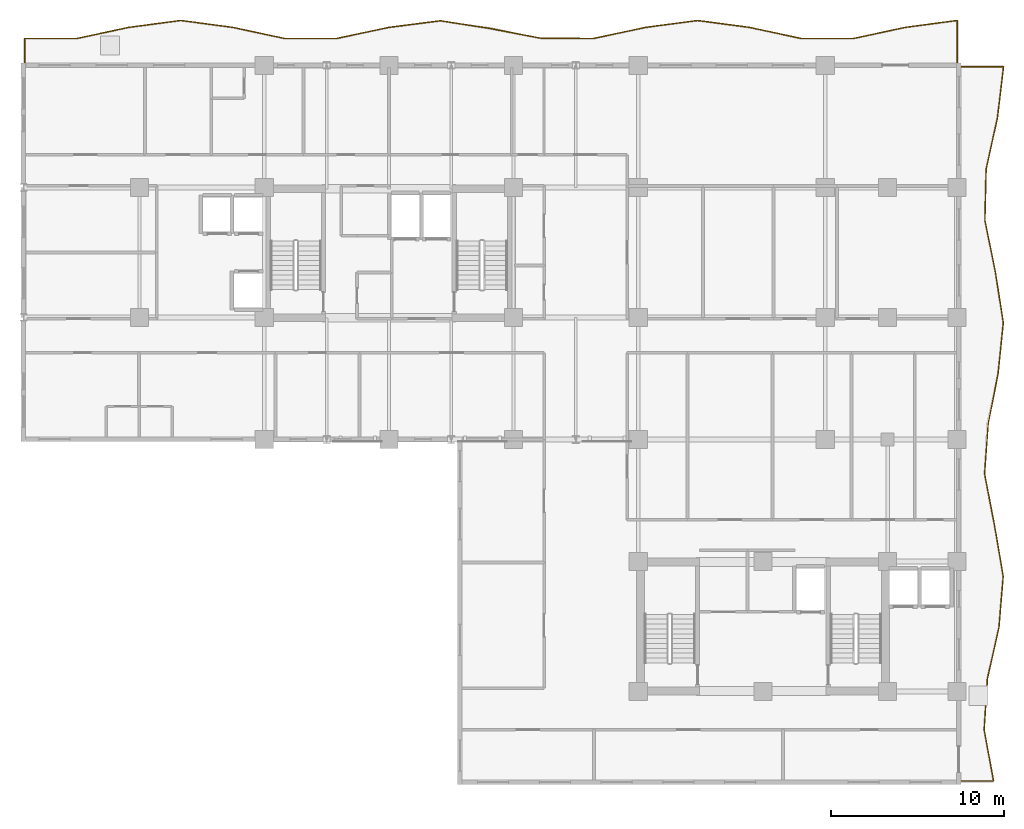
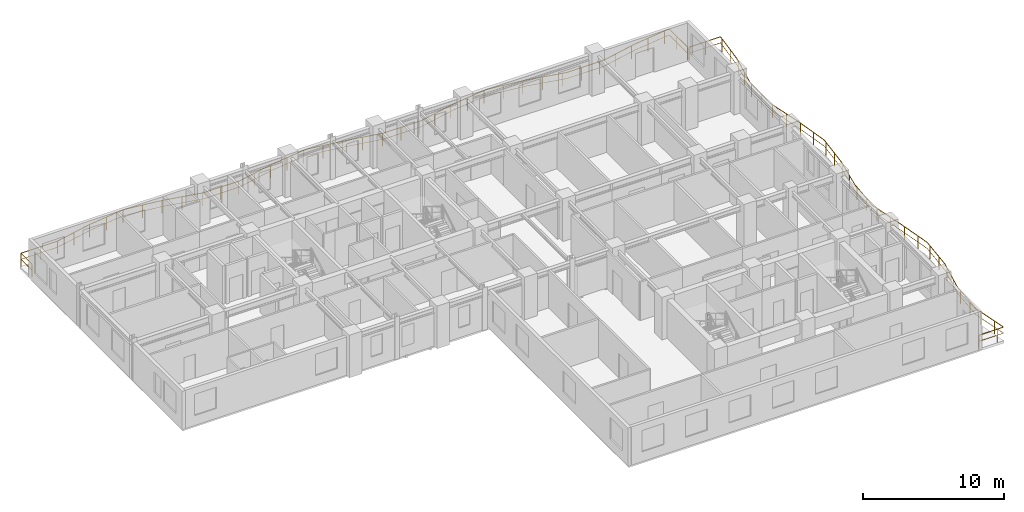
# One storey, part 13 of 13: 2 railings.
"""IFC4 building model written with IfcOpenShell, lengths in metres."""

from ifc_helpers import new_model, si_unit, direction, frame, origin, origin_2d, place, context, subcontext, project, spatial, rectangle, extrude, material, type_object, element, save


model = new_model("IFC4")

# Units and contexts
model_context = context("Model", 3, precision=1e-05, world=origin(), true_north=direction((0.0, 1.0)))
body_context = subcontext(model_context, "Body", "Model", "MODEL_VIEW")
ifc_project = project(units=[si_unit("LENGTHUNIT", "METRE"), si_unit("AREAUNIT", "SQUARE_METRE"), si_unit("VOLUMEUNIT", "CUBIC_METRE"), si_unit("PLANEANGLEUNIT", "RADIAN"), si_unit("MASSUNIT", "GRAM", prefix="KILO")], contexts=[model_context])

# Site, building, storey
site_placement = place(None, origin())
site = spatial("IfcSite", under=ifc_project, at=site_placement, CompositionType="ELEMENT")
building_placement = place(site_placement, origin())
building = spatial("IfcBuilding", under=site, at=building_placement, Name="Kaliganga Portal Commons", CompositionType="ELEMENT")
storey_placement = place(building_placement, frame((0.0, 0.0, 188.300048828125)))
storey = spatial("IfcBuildingStorey", under=building, at=storey_placement, Name="L48", CompositionType="ELEMENT", Elevation=188.300048828125)

# Railings
ifc_material = material(Name="Laminated Safety Glass and Stainless Steel 316", Category="steel")
railing_type = type_object("IfcRailingType", Name="RLG-BAL-1150", PredefinedType="BALUSTRADE", material=ifc_material)
railing_1_placement = place(storey_placement, frame((54.420166015625, 43.205322265625, 0.0)))
element("IfcRailing", 1, at=railing_1_placement, inside=storey, type_object=railing_type, Name="Balcony Guardrail L48 balc_north", PredefinedType="BALUSTRADE", context=body_context, shape_type="SweptSolid", body=[
    extrude(rectangle(XDim=0.048095703125, YDim=0.048095703125, at=origin_2d()), frame((0.0, 0.0, 1.1259765625), z_axis=(-9.4179694e-05, 0.999999995565, 0.0), x_axis=(-0.999999995565, -9.4179694e-05, 0.0)), (0.0, 0.0, 1.0), 2.59228515625),
    extrude(rectangle(XDim=0.028076171875, YDim=0.028076171875, at=origin_2d()), frame((0.0, 0.0, 0.597900390625), z_axis=(-9.4179694e-05, 0.999999995565, 0.0), x_axis=(-0.999999995565, -9.4179694e-05, 0.0)), (0.0, 0.0, 1.0), 2.59228515625),
    extrude(rectangle(XDim=0.048095703125, YDim=0.048095703125, at=origin_2d()), frame((-0.000244140625, 2.59228515625, 1.1259765625), z_axis=(-0.99128487682, -0.131735693672, 0.0), x_axis=(0.131735693672, -0.99128487682, 0.0)), (0.0, 0.0, 1.0), 3.0263671875),
    extrude(rectangle(XDim=0.028076171875, YDim=0.028076171875, at=origin_2d()), frame((-0.000244140625, 2.59228515625, 0.597900390625), z_axis=(-0.99128487682, -0.131735693672, 0.0), x_axis=(0.131735693672, -0.99128487682, 0.0)), (0.0, 0.0, 1.0), 3.0263671875),
    extrude(rectangle(XDim=0.048095703125, YDim=0.048095703125, at=origin_2d()), frame((-3.000244140625, 2.193603515625, 1.1259765625), z_axis=(-0.977690496299, -0.210050692564, 0.0), x_axis=(0.210050692564, -0.977690496299, 0.0)), (0.0, 0.0, 1.0), 3.068359375),
    extrude(rectangle(XDim=0.028076171875, YDim=0.028076171875, at=origin_2d()), frame((-3.000244140625, 2.193603515625, 0.597900390625), z_axis=(-0.977690496299, -0.210050692564, 0.0), x_axis=(0.210050692564, -0.977690496299, 0.0)), (0.0, 0.0, 1.0), 3.068359375),
    extrude(rectangle(XDim=0.048095703125, YDim=0.048095703125, at=origin_2d()), frame((-6.000244140625, 1.549072265625, 1.1259765625), z_axis=(-0.999999996689, 8.1380208e-05, 0.0), x_axis=(-8.1380208e-05, -0.999999996689, 0.0)), (0.0, 0.0, 1.0), 3.0),
    extrude(rectangle(XDim=0.028076171875, YDim=0.028076171875, at=origin_2d()), frame((-6.000244140625, 1.549072265625, 0.597900390625), z_axis=(-0.999999996689, 8.1380208e-05, 0.0), x_axis=(-8.1380208e-05, -0.999999996689, 0.0)), (0.0, 0.0, 1.0), 3.0),
    extrude(rectangle(XDim=0.048095703125, YDim=0.048095703125, at=origin_2d()), frame((-9.000244140625, 1.54931640625, 1.1259765625), z_axis=(-0.977755812374, 0.209746445428, 0.0), x_axis=(-0.209746445428, -0.977755812374, 0.0)), (0.0, 0.0, 1.0), 3.068359375),
    extrude(rectangle(XDim=0.028076171875, YDim=0.028076171875, at=origin_2d()), frame((-9.000244140625, 1.54931640625, 0.597900390625), z_axis=(-0.977755812374, 0.209746445428, 0.0), x_axis=(-0.209746445428, -0.977755812374, 0.0)), (0.0, 0.0, 1.0), 3.068359375),
    extrude(rectangle(XDim=0.048095703125, YDim=0.048095703125, at=origin_2d()), frame((-12.000244140625, 2.19287109375, 1.1259765625), z_axis=(-0.991367571286, 0.131111931581, 0.0), x_axis=(-0.131111931581, -0.991367571286, 0.0)), (0.0, 0.0, 1.0), 3.02587890625),
    extrude(rectangle(XDim=0.028076171875, YDim=0.028076171875, at=origin_2d()), frame((-12.000244140625, 2.19287109375, 0.597900390625), z_axis=(-0.991367571286, 0.131111931581, 0.0), x_axis=(-0.131111931581, -0.991367571286, 0.0)), (0.0, 0.0, 1.0), 3.02587890625),
    extrude(rectangle(XDim=0.048095703125, YDim=0.048095703125, at=origin_2d()), frame((-15.0, 2.589599609375, 1.1259765625), z_axis=(-0.991305933846, -0.131577146655, 0.0), x_axis=(0.131577146655, -0.991305933846, 0.0)), (0.0, 0.0, 1.0), 3.0263671875),
    extrude(rectangle(XDim=0.028076171875, YDim=0.028076171875, at=origin_2d()), frame((-15.0, 2.589599609375, 0.597900390625), z_axis=(-0.991305933846, -0.131577146655, 0.0), x_axis=(0.131577146655, -0.991305933846, 0.0)), (0.0, 0.0, 1.0), 3.0263671875),
    extrude(rectangle(XDim=0.048095703125, YDim=0.048095703125, at=origin_2d()), frame((-18.0, 2.19140625, 1.1259765625), z_axis=(-0.97801621636, -0.208528848215, 0.0), x_axis=(0.208528848215, -0.97801621636, 0.0)), (0.0, 0.0, 1.0), 3.0673828125),
    extrude(rectangle(XDim=0.028076171875, YDim=0.028076171875, at=origin_2d()), frame((-18.0, 2.19140625, 0.597900390625), z_axis=(-0.97801621636, -0.208528848215, 0.0), x_axis=(0.208528848215, -0.97801621636, 0.0)), (0.0, 0.0, 1.0), 3.0673828125),
    extrude(rectangle(XDim=0.048095703125, YDim=0.048095703125, at=origin_2d()), frame((-21.0, 1.5517578125, 1.1259765625), z_axis=(-0.999999350867, 0.001139414903, 0.0), x_axis=(-0.001139414903, -0.999999350867, 0.0)), (0.0, 0.0, 1.0), 2.999755859375),
    extrude(rectangle(XDim=0.028076171875, YDim=0.028076171875, at=origin_2d()), frame((-21.0, 1.5517578125, 0.597900390625), z_axis=(-0.999999350867, 0.001139414903, 0.0), x_axis=(-0.001139414903, -0.999999350867, 0.0)), (0.0, 0.0, 1.0), 2.999755859375),
    extrude(rectangle(XDim=0.048095703125, YDim=0.048095703125, at=origin_2d()), frame((-23.999755859375, 1.55517578125, 1.1259765625), z_axis=(-0.982118711, 0.188262682187, 0.0), x_axis=(-0.188262682187, -0.982118711, 0.0)), (0.0, 0.0, 1.0), 2.9736328125),
    extrude(rectangle(XDim=0.028076171875, YDim=0.028076171875, at=origin_2d()), frame((-23.999755859375, 1.55517578125, 0.597900390625), z_axis=(-0.982118711, 0.188262682187, 0.0), x_axis=(-0.188262682187, -0.982118711, 0.0)), (0.0, 0.0, 1.0), 2.9736328125),
    extrude(rectangle(XDim=0.048095703125, YDim=0.048095703125, at=origin_2d()), frame((-26.920166015625, 2.114990234375, 1.1259765625), z_axis=(-0.987866456564, 0.155305711407, 0.0), x_axis=(-0.155305711407, -0.987866456564, 0.0)), (0.0, 0.0, 1.0), 2.95849609375),
    extrude(rectangle(XDim=0.028076171875, YDim=0.028076171875, at=origin_2d()), frame((-26.920166015625, 2.114990234375, 0.597900390625), z_axis=(-0.987866456564, 0.155305711407, 0.0), x_axis=(-0.155305711407, -0.987866456564, 0.0)), (0.0, 0.0, 1.0), 2.95849609375),
    extrude(rectangle(XDim=0.048095703125, YDim=0.048095703125, at=origin_2d()), frame((-29.8427734375, 2.574462890625, 1.1259765625), z_axis=(-0.991862319476, -0.12731511773, 0.0), x_axis=(0.12731511773, -0.991862319476, 0.0)), (0.0, 0.0, 1.0), 3.022216796875),
    extrude(rectangle(XDim=0.028076171875, YDim=0.028076171875, at=origin_2d()), frame((-29.8427734375, 2.574462890625, 0.597900390625), z_axis=(-0.991862319476, -0.12731511773, 0.0), x_axis=(0.12731511773, -0.991862319476, 0.0)), (0.0, 0.0, 1.0), 3.022216796875),
    extrude(rectangle(XDim=0.048095703125, YDim=0.048095703125, at=origin_2d()), frame((-32.84033203125, 2.189697265625, 1.1259765625), z_axis=(-0.978045213529, -0.208392802883, 0.0), x_axis=(0.208392802883, -0.978045213529, 0.0)), (0.0, 0.0, 1.0), 3.067138671875),
    extrude(rectangle(XDim=0.028076171875, YDim=0.028076171875, at=origin_2d()), frame((-32.84033203125, 2.189697265625, 0.597900390625), z_axis=(-0.978045213529, -0.208392802883, 0.0), x_axis=(0.208392802883, -0.978045213529, 0.0)), (0.0, 0.0, 1.0), 3.067138671875),
    extrude(rectangle(XDim=0.048095703125, YDim=0.048095703125, at=origin_2d()), frame((-35.840087890625, 1.550537109375, 1.1259765625), z_axis=(-0.999999970198, -0.000244140618, 0.0), x_axis=(0.000244140618, -0.999999970198, 0.0)), (0.0, 0.0, 1.0), 3.0),
    extrude(rectangle(XDim=0.028076171875, YDim=0.028076171875, at=origin_2d()), frame((-35.840087890625, 1.550537109375, 0.597900390625), z_axis=(-0.999999970198, -0.000244140618, 0.0), x_axis=(0.000244140618, -0.999999970198, 0.0)), (0.0, 0.0, 1.0), 3.0),
    extrude(rectangle(XDim=0.048095703125, YDim=0.048095703125, at=origin_2d()), frame((-38.840087890625, 1.5498046875, 1.1259765625), z_axis=(-0.977788438173, 0.209594299003, 0.0), x_axis=(-0.209594299003, -0.977788438173, 0.0)), (0.0, 0.0, 1.0), 3.068115234375),
    extrude(rectangle(XDim=0.028076171875, YDim=0.028076171875, at=origin_2d()), frame((-38.840087890625, 1.5498046875, 0.597900390625), z_axis=(-0.977788438173, 0.209594299003, 0.0), x_axis=(-0.209594299003, -0.977788438173, 0.0)), (0.0, 0.0, 1.0), 3.068115234375),
    extrude(rectangle(XDim=0.048095703125, YDim=0.048095703125, at=origin_2d()), frame((-41.840087890625, 2.19287109375, 1.1259765625), z_axis=(-0.991307330328, 0.131566625093, 0.0), x_axis=(-0.131566625093, -0.991307330328, 0.0)), (0.0, 0.0, 1.0), 3.026611328125),
    extrude(rectangle(XDim=0.028076171875, YDim=0.028076171875, at=origin_2d()), frame((-41.840087890625, 2.19287109375, 0.597900390625), z_axis=(-0.991307330328, 0.131566625093, 0.0), x_axis=(-0.131566625093, -0.991307330328, 0.0)), (0.0, 0.0, 1.0), 3.026611328125),
    extrude(rectangle(XDim=0.048095703125, YDim=0.048095703125, at=origin_2d()), frame((-44.84033203125, 2.591064453125, 1.1259765625), z_axis=(-0.991325572924, -0.131429100537, 0.0), x_axis=(0.131429100537, -0.991325572924, 0.0)), (0.0, 0.0, 1.0), 3.026123046875),
    extrude(rectangle(XDim=0.028076171875, YDim=0.028076171875, at=origin_2d()), frame((-44.84033203125, 2.591064453125, 0.597900390625), z_axis=(-0.991325572924, -0.131429100537, 0.0), x_axis=(0.131429100537, -0.991325572924, 0.0)), (0.0, 0.0, 1.0), 3.026123046875),
    extrude(rectangle(XDim=0.048095703125, YDim=0.048095703125, at=origin_2d()), frame((-47.840087890625, 2.193359375, 1.1259765625), z_axis=(-0.977706833375, -0.209974636497, 0.0), x_axis=(0.209974636497, -0.977706833375, 0.0)), (0.0, 0.0, 1.0), 3.068359375),
    extrude(rectangle(XDim=0.028076171875, YDim=0.028076171875, at=origin_2d()), frame((-47.840087890625, 2.193359375, 0.597900390625), z_axis=(-0.977706833375, -0.209974636497, 0.0), x_axis=(0.209974636497, -0.977706833375, 0.0)), (0.0, 0.0, 1.0), 3.068359375),
    extrude(rectangle(XDim=0.048095703125, YDim=0.048095703125, at=origin_2d()), frame((-50.840087890625, 1.549072265625, 1.1259765625), z_axis=(-0.999999996689, -8.1380208e-05, 0.0), x_axis=(8.1380208e-05, -0.999999996689, 0.0)), (0.0, 0.0, 1.0), 3.0),
    extrude(rectangle(XDim=0.028076171875, YDim=0.028076171875, at=origin_2d()), frame((-50.840087890625, 1.549072265625, 0.597900390625), z_axis=(-0.999999996689, -8.1380208e-05, 0.0), x_axis=(8.1380208e-05, -0.999999996689, 0.0)), (0.0, 0.0, 1.0), 3.0),
    extrude(rectangle(XDim=0.048095703125, YDim=0.048095703125, at=origin_2d()), frame((-53.840087890625, 1.548828125, 1.1259765625), z_axis=(-0.000157629254, -0.999999987577, 0.0), x_axis=(0.999999987577, -0.000157629254, 0.0)), (0.0, 0.0, 1.0), 1.548828125),
    extrude(rectangle(XDim=0.028076171875, YDim=0.028076171875, at=origin_2d()), frame((-53.840087890625, 1.548828125, 0.597900390625), z_axis=(-0.000157629254, -0.999999987577, 0.0), x_axis=(0.999999987577, -0.000157629254, 0.0)), (0.0, 0.0, 1.0), 1.548828125),
    extrude(rectangle(XDim=0.0419921875, YDim=0.0419921875, at=origin_2d()), origin(), (0.0, 0.0, 1.0), 1.101806640625),
    extrude(rectangle(XDim=0.0419921875, YDim=0.0419921875, at=origin_2d()), frame((-0.000244140625, 1.5, 0.0)), (0.0, 0.0, 1.0), 1.101806640625),
    extrude(rectangle(XDim=0.0419921875, YDim=0.0419921875, at=origin_2d()), frame((-0.404296875, 2.53857421875, 0.0)), (0.0, 0.0, 1.0), 1.101806640625),
    extrude(rectangle(XDim=0.0419921875, YDim=0.0419921875, at=origin_2d()), frame((-1.891357421875, 2.341064453125, 0.0)), (0.0, 0.0, 1.0), 1.101806640625),
    extrude(rectangle(XDim=0.0419921875, YDim=0.0419921875, at=origin_2d()), frame((-3.373046875, 2.113525390625, 0.0)), (0.0, 0.0, 1.0), 1.101806640625),
    extrude(rectangle(XDim=0.0419921875, YDim=0.0419921875, at=origin_2d()), frame((-4.839599609375, 1.79833984375, 0.0)), (0.0, 0.0, 1.0), 1.101806640625),
    extrude(rectangle(XDim=0.0419921875, YDim=0.0419921875, at=origin_2d()), frame((-6.313232421875, 1.549072265625, 0.0)), (0.0, 0.0, 1.0), 1.101806640625),
    extrude(rectangle(XDim=0.0419921875, YDim=0.0419921875, at=origin_2d()), frame((-7.813232421875, 1.54931640625, 0.0)), (0.0, 0.0, 1.0), 1.101806640625),
    extrude(rectangle(XDim=0.0419921875, YDim=0.0419921875, at=origin_2d()), frame((-9.30615234375, 1.614990234375, 0.0)), (0.0, 0.0, 1.0), 1.101806640625),
    extrude(rectangle(XDim=0.0419921875, YDim=0.0419921875, at=origin_2d()), frame((-10.772705078125, 1.929443359375, 0.0)), (0.0, 0.0, 1.0), 1.101806640625),
    extrude(rectangle(XDim=0.0419921875, YDim=0.0419921875, at=origin_2d()), frame((-12.24267578125, 2.224853515625, 0.0)), (0.0, 0.0, 1.0), 1.101806640625),
    extrude(rectangle(XDim=0.0419921875, YDim=0.0419921875, at=origin_2d()), frame((-13.729736328125, 2.421630859375, 0.0)), (0.0, 0.0, 1.0), 1.101806640625),
    extrude(rectangle(XDim=0.0419921875, YDim=0.0419921875, at=origin_2d()), frame((-15.216796875, 2.560791015625, 0.0)), (0.0, 0.0, 1.0), 1.101806640625),
    extrude(rectangle(XDim=0.0419921875, YDim=0.0419921875, at=origin_2d()), frame((-16.703857421875, 2.363525390625, 0.0)), (0.0, 0.0, 1.0), 1.101806640625),
    extrude(rectangle(XDim=0.0419921875, YDim=0.0419921875, at=origin_2d()), frame((-18.188232421875, 2.1513671875, 0.0)), (0.0, 0.0, 1.0), 1.101806640625),
    extrude(rectangle(XDim=0.0419921875, YDim=0.0419921875, at=origin_2d()), frame((-19.6552734375, 1.83837890625, 0.0)), (0.0, 0.0, 1.0), 1.101806640625),
    extrude(rectangle(XDim=0.0419921875, YDim=0.0419921875, at=origin_2d()), frame((-21.125, 1.552001953125, 0.0)), (0.0, 0.0, 1.0), 1.101806640625),
    extrude(rectangle(XDim=0.0419921875, YDim=0.0419921875, at=origin_2d()), frame((-22.625, 1.5537109375, 0.0)), (0.0, 0.0, 1.0), 1.101806640625),
    extrude(rectangle(XDim=0.0419921875, YDim=0.0419921875, at=origin_2d()), frame((-24.122802734375, 1.578857421875, 0.0)), (0.0, 0.0, 1.0), 1.101806640625),
    extrude(rectangle(XDim=0.0419921875, YDim=0.0419921875, at=origin_2d()), frame((-25.595947265625, 1.861083984375, 0.0)), (0.0, 0.0, 1.0), 1.101806640625),
    extrude(rectangle(XDim=0.0419921875, YDim=0.0419921875, at=origin_2d()), frame((-27.070068359375, 2.138427734375, 0.0)), (0.0, 0.0, 1.0), 1.101806640625),
    extrude(rectangle(XDim=0.0419921875, YDim=0.0419921875, at=origin_2d()), frame((-28.5517578125, 2.37158203125, 0.0)), (0.0, 0.0, 1.0), 1.101806640625),
    extrude(rectangle(XDim=0.0419921875, YDim=0.0419921875, at=origin_2d()), frame((-30.034423828125, 2.5498046875, 0.0)), (0.0, 0.0, 1.0), 1.101806640625),
    extrude(rectangle(XDim=0.0419921875, YDim=0.0419921875, at=origin_2d()), frame((-31.522216796875, 2.35888671875, 0.0)), (0.0, 0.0, 1.0), 1.101806640625),
    extrude(rectangle(XDim=0.0419921875, YDim=0.0419921875, at=origin_2d()), frame((-33.007568359375, 2.154052734375, 0.0)), (0.0, 0.0, 1.0), 1.101806640625),
    extrude(rectangle(XDim=0.0419921875, YDim=0.0419921875, at=origin_2d()), frame((-34.474609375, 1.841552734375, 0.0)), (0.0, 0.0, 1.0), 1.101806640625),
    extrude(rectangle(XDim=0.0419921875, YDim=0.0419921875, at=origin_2d()), frame((-35.944091796875, 1.550537109375, 0.0)), (0.0, 0.0, 1.0), 1.101806640625),
    extrude(rectangle(XDim=0.0419921875, YDim=0.0419921875, at=origin_2d()), frame((-37.444091796875, 1.550048828125, 0.0)), (0.0, 0.0, 1.0), 1.101806640625),
    extrude(rectangle(XDim=0.0419921875, YDim=0.0419921875, at=origin_2d()), frame((-38.941650390625, 1.571533203125, 0.0)), (0.0, 0.0, 1.0), 1.101806640625),
    extrude(rectangle(XDim=0.0419921875, YDim=0.0419921875, at=origin_2d()), frame((-40.408447265625, 1.885986328125, 0.0)), (0.0, 0.0, 1.0), 1.101806640625),
    extrude(rectangle(XDim=0.0419921875, YDim=0.0419921875, at=origin_2d()), frame((-41.87548828125, 2.197509765625, 0.0)), (0.0, 0.0, 1.0), 1.101806640625),
    extrude(rectangle(XDim=0.0419921875, YDim=0.0419921875, at=origin_2d()), frame((-43.362548828125, 2.39501953125, 0.0)), (0.0, 0.0, 1.0), 1.101806640625),
    extrude(rectangle(XDim=0.0419921875, YDim=0.0419921875, at=origin_2d()), frame((-44.849365234375, 2.58984375, 0.0)), (0.0, 0.0, 1.0), 1.101806640625),
    extrude(rectangle(XDim=0.0419921875, YDim=0.0419921875, at=origin_2d()), frame((-46.33642578125, 2.392822265625, 0.0)), (0.0, 0.0, 1.0), 1.101806640625),
    extrude(rectangle(XDim=0.0419921875, YDim=0.0419921875, at=origin_2d()), frame((-47.840087890625, 2.193359375, 0.0)), (0.0, 0.0, 1.0), 1.101806640625),
    extrude(rectangle(XDim=0.0419921875, YDim=0.0419921875, at=origin_2d()), frame((-49.290283203125, 1.8818359375, 0.0)), (0.0, 0.0, 1.0), 1.101806640625),
    extrude(rectangle(XDim=0.0419921875, YDim=0.0419921875, at=origin_2d()), frame((-50.840087890625, 1.549072265625, 0.0)), (0.0, 0.0, 1.0), 1.101806640625),
    extrude(rectangle(XDim=0.0419921875, YDim=0.0419921875, at=origin_2d()), frame((-52.2548828125, 1.549072265625, 0.0)), (0.0, 0.0, 1.0), 1.101806640625),
    extrude(rectangle(XDim=0.0419921875, YDim=0.0419921875, at=origin_2d()), frame((-53.840087890625, 1.548828125, 0.0)), (0.0, 0.0, 1.0), 1.101806640625),
    extrude(rectangle(XDim=0.0419921875, YDim=0.0419921875, at=origin_2d()), frame((-53.84033203125, 0.0, 0.0)), (0.0, 0.0, 1.0), 1.101806640625),
])
railing_2_placement = place(storey_placement, frame((54.5068359375, 1.879638671875, 0.0)))
element("IfcRailing", 2, at=railing_2_placement, inside=storey, type_object=railing_type, Name="Balcony Guardrail L48 balc_east", PredefinedType="BALUSTRADE", context=body_context, shape_type="SweptSolid", body=[
    extrude(rectangle(XDim=0.048095703125, YDim=0.048095703125, at=origin_2d()), frame((0.0, 0.0, 1.1259765625), z_axis=(0.99999999265, 0.000121241512, 0.0), x_axis=(-0.000121241512, 0.99999999265, 0.0)), (0.0, 0.0, 1.0), 2.013671875),
    extrude(rectangle(XDim=0.028076171875, YDim=0.028076171875, at=origin_2d()), frame((0.0, 0.0, 0.597900390625), z_axis=(0.99999999265, 0.000121241512, 0.0), x_axis=(-0.000121241512, 0.99999999265, 0.0)), (0.0, 0.0, 1.0), 2.013671875),
    extrude(rectangle(XDim=0.048095703125, YDim=0.048095703125, at=origin_2d()), frame((2.013671875, 0.000244140625, 1.1259765625), z_axis=(-0.181135565371, 0.983458136861, 0.0), x_axis=(-0.983458136861, -0.181135565371, 0.0)), (0.0, 0.0, 1.0), 3.007080078125),
    extrude(rectangle(XDim=0.028076171875, YDim=0.028076171875, at=origin_2d()), frame((2.013671875, 0.000244140625, 0.597900390625), z_axis=(-0.181135565371, 0.983458136861, 0.0), x_axis=(-0.983458136861, -0.181135565371, 0.0)), (0.0, 0.0, 1.0), 3.007080078125),
    extrude(rectangle(XDim=0.048095703125, YDim=0.048095703125, at=origin_2d()), frame((1.468994140625, 2.95751953125, 1.1259765625), z_axis=(0.063937601147, 0.997953898314, 0.0), x_axis=(-0.997953898314, 0.063937601147, 0.0)), (0.0, 0.0, 1.0), 2.963134765625),
    extrude(rectangle(XDim=0.028076171875, YDim=0.028076171875, at=origin_2d()), frame((1.468994140625, 2.95751953125, 0.597900390625), z_axis=(0.063937601147, 0.997953898314, 0.0), x_axis=(-0.997953898314, 0.063937601147, 0.0)), (0.0, 0.0, 1.0), 2.963134765625),
    extrude(rectangle(XDim=0.048095703125, YDim=0.048095703125, at=origin_2d()), frame((1.658447265625, 5.91455078125, 1.1259765625), z_axis=(0.219956799451, 0.975509613676, 0.0), x_axis=(-0.975509613676, 0.219956799451, 0.0)), (0.0, 0.0, 1.0), 3.03125),
    extrude(rectangle(XDim=0.028076171875, YDim=0.028076171875, at=origin_2d()), frame((1.658447265625, 5.91455078125, 0.597900390625), z_axis=(0.219956799451, 0.975509613676, 0.0), x_axis=(-0.975509613676, 0.219956799451, 0.0)), (0.0, 0.0, 1.0), 3.03125),
    extrude(rectangle(XDim=0.048095703125, YDim=0.048095703125, at=origin_2d()), frame((2.3251953125, 8.87158203125, 1.1259765625), z_axis=(0.082201052772, 0.996615766945, 0.0), x_axis=(-0.996615766945, 0.082201052772, 0.0)), (0.0, 0.0, 1.0), 2.967041015625),
    extrude(rectangle(XDim=0.028076171875, YDim=0.028076171875, at=origin_2d()), frame((2.3251953125, 8.87158203125, 0.597900390625), z_axis=(0.082201052772, 0.996615766945, 0.0), x_axis=(-0.996615766945, 0.082201052772, 0.0)), (0.0, 0.0, 1.0), 2.967041015625),
    extrude(rectangle(XDim=0.048095703125, YDim=0.048095703125, at=origin_2d()), frame((2.569091796875, 11.82861328125, 1.1259765625), z_axis=(-0.168844113176, 0.985642767663, 0.0), x_axis=(-0.985642767663, -0.168844113176, 0.0)), (0.0, 0.0, 1.0), 3.000244140625),
    extrude(rectangle(XDim=0.028076171875, YDim=0.028076171875, at=origin_2d()), frame((2.569091796875, 11.82861328125, 0.597900390625), z_axis=(-0.168844113176, 0.985642767663, 0.0), x_axis=(-0.985642767663, -0.168844113176, 0.0)), (0.0, 0.0, 1.0), 3.000244140625),
    extrude(rectangle(XDim=0.048095703125, YDim=0.048095703125, at=origin_2d()), frame((2.0625, 14.785888671875, 1.1259765625), z_axis=(-0.188672970533, 0.982039973825, 0.0), x_axis=(-0.982039973825, -0.188672970533, 0.0)), (0.0, 0.0, 1.0), 3.01123046875),
    extrude(rectangle(XDim=0.028076171875, YDim=0.028076171875, at=origin_2d()), frame((2.0625, 14.785888671875, 0.597900390625), z_axis=(-0.188672970533, 0.982039973825, 0.0), x_axis=(-0.982039973825, -0.188672970533, 0.0)), (0.0, 0.0, 1.0), 3.01123046875),
    extrude(rectangle(XDim=0.048095703125, YDim=0.048095703125, at=origin_2d()), frame((1.494384765625, 17.742919921875, 1.1259765625), z_axis=(0.070753845407, 0.997493806176, 0.0), x_axis=(-0.997493806176, 0.070753845407, 0.0)), (0.0, 0.0, 1.0), 2.884765625),
    extrude(rectangle(XDim=0.028076171875, YDim=0.028076171875, at=origin_2d()), frame((1.494384765625, 17.742919921875, 0.597900390625), z_axis=(0.070753845407, 0.997493806176, 0.0), x_axis=(-0.997493806176, 0.070753845407, 0.0)), (0.0, 0.0, 1.0), 2.884765625),
    extrude(rectangle(XDim=0.048095703125, YDim=0.048095703125, at=origin_2d()), frame((1.698486328125, 20.620361328125, 1.1259765625), z_axis=(0.194916120542, 0.980819915149, 0.0), x_axis=(-0.980819915149, 0.194916120542, 0.0)), (0.0, 0.0, 1.0), 2.934814453125),
    extrude(rectangle(XDim=0.028076171875, YDim=0.028076171875, at=origin_2d()), frame((1.698486328125, 20.620361328125, 0.597900390625), z_axis=(0.194916120542, 0.980819915149, 0.0), x_axis=(-0.980819915149, 0.194916120542, 0.0)), (0.0, 0.0, 1.0), 2.934814453125),
    extrude(rectangle(XDim=0.048095703125, YDim=0.048095703125, at=origin_2d()), frame((2.2705078125, 23.498779296875, 1.1259765625), z_axis=(0.102674954688, 0.994714961021, 0.0), x_axis=(-0.994714961021, 0.102674954688, 0.0)), (0.0, 0.0, 1.0), 2.97216796875),
    extrude(rectangle(XDim=0.028076171875, YDim=0.028076171875, at=origin_2d()), frame((2.2705078125, 23.498779296875, 0.597900390625), z_axis=(0.102674954688, 0.994714961021, 0.0), x_axis=(-0.994714961021, 0.102674954688, 0.0)), (0.0, 0.0, 1.0), 2.97216796875),
    extrude(rectangle(XDim=0.048095703125, YDim=0.048095703125, at=origin_2d()), frame((2.57568359375, 26.455322265625, 1.1259765625), z_axis=(-0.154043352723, 0.988064089764, 0.0), x_axis=(-0.988064089764, -0.154043352723, 0.0)), (0.0, 0.0, 1.0), 2.9921875),
    extrude(rectangle(XDim=0.028076171875, YDim=0.028076171875, at=origin_2d()), frame((2.57568359375, 26.455322265625, 0.597900390625), z_axis=(-0.154043352723, 0.988064089764, 0.0), x_axis=(-0.988064089764, -0.154043352723, 0.0)), (0.0, 0.0, 1.0), 2.9921875),
    extrude(rectangle(XDim=0.048095703125, YDim=0.048095703125, at=origin_2d()), frame((2.11474609375, 29.411865234375, 1.1259765625), z_axis=(-0.199739693761, 0.979848995885, 0.0), x_axis=(-0.979848995885, -0.199739693761, 0.0)), (0.0, 0.0, 1.0), 3.017822265625),
    extrude(rectangle(XDim=0.028076171875, YDim=0.028076171875, at=origin_2d()), frame((2.11474609375, 29.411865234375, 0.597900390625), z_axis=(-0.199739693761, 0.979848995885, 0.0), x_axis=(-0.979848995885, -0.199739693761, 0.0)), (0.0, 0.0, 1.0), 3.017822265625),
    extrude(rectangle(XDim=0.048095703125, YDim=0.048095703125, at=origin_2d()), frame((1.511962890625, 32.368896484375, 1.1259765625), z_axis=(0.024099330813, 0.999709568952, 0.0), x_axis=(-0.999709568952, 0.024099330813, 0.0)), (0.0, 0.0, 1.0), 2.958251953125),
    extrude(rectangle(XDim=0.028076171875, YDim=0.028076171875, at=origin_2d()), frame((1.511962890625, 32.368896484375, 0.597900390625), z_axis=(0.024099330813, 0.999709568952, 0.0), x_axis=(-0.999709568952, 0.024099330813, 0.0)), (0.0, 0.0, 1.0), 2.958251953125),
    extrude(rectangle(XDim=0.048095703125, YDim=0.048095703125, at=origin_2d()), frame((1.583251953125, 35.326171875, 1.1259765625), z_axis=(0.215273973081, 0.976553693615, 0.0), x_axis=(-0.976553693615, 0.215273973081, 0.0)), (0.0, 0.0, 1.0), 3.028076171875),
    extrude(rectangle(XDim=0.028076171875, YDim=0.028076171875, at=origin_2d()), frame((1.583251953125, 35.326171875, 0.597900390625), z_axis=(0.215273973081, 0.976553693615, 0.0), x_axis=(-0.976553693615, 0.215273973081, 0.0)), (0.0, 0.0, 1.0), 3.028076171875),
    extrude(rectangle(XDim=0.048095703125, YDim=0.048095703125, at=origin_2d()), frame((2.235107421875, 38.283203125, 1.1259765625), z_axis=(0.118776728463, 0.992920988184, 0.0), x_axis=(-0.992920988184, 0.118776728463, 0.0)), (0.0, 0.0, 1.0), 2.978271484375),
    extrude(rectangle(XDim=0.028076171875, YDim=0.028076171875, at=origin_2d()), frame((2.235107421875, 38.283203125, 0.597900390625), z_axis=(0.118776728463, 0.992920988184, 0.0), x_axis=(-0.992920988184, 0.118776728463, 0.0)), (0.0, 0.0, 1.0), 2.978271484375),
    extrude(rectangle(XDim=0.048095703125, YDim=0.048095703125, at=origin_2d()), frame((2.5888671875, 41.240478515625, 1.1259765625), z_axis=(-0.999999995553, 9.4304036e-05, 0.0), x_axis=(-9.4304036e-05, -0.999999995553, 0.0)), (0.0, 0.0, 1.0), 2.5888671875),
    extrude(rectangle(XDim=0.028076171875, YDim=0.028076171875, at=origin_2d()), frame((2.5888671875, 41.240478515625, 0.597900390625), z_axis=(-0.999999995553, 9.4304036e-05, 0.0), x_axis=(-9.4304036e-05, -0.999999995553, 0.0)), (0.0, 0.0, 1.0), 2.5888671875),
    extrude(rectangle(XDim=0.0419921875, YDim=0.0419921875, at=origin_2d()), origin(), (0.0, 0.0, 1.0), 1.101806640625),
    extrude(rectangle(XDim=0.0419921875, YDim=0.0419921875, at=origin_2d()), frame((1.5, 0.000244140625, 0.0)), (0.0, 0.0, 1.0), 1.101806640625),
    extrude(rectangle(XDim=0.0419921875, YDim=0.0419921875, at=origin_2d()), frame((1.8349609375, 0.97021484375, 0.0)), (0.0, 0.0, 1.0), 1.101806640625),
    extrude(rectangle(XDim=0.0419921875, YDim=0.0419921875, at=origin_2d()), frame((1.563232421875, 2.445556640625, 0.0)), (0.0, 0.0, 1.0), 1.101806640625),
    extrude(rectangle(XDim=0.0419921875, YDim=0.0419921875, at=origin_2d()), frame((1.531494140625, 3.934814453125, 0.0)), (0.0, 0.0, 1.0), 1.101806640625),
    extrude(rectangle(XDim=0.0419921875, YDim=0.0419921875, at=origin_2d()), frame((1.62744140625, 5.431640625, 0.0)), (0.0, 0.0, 1.0), 1.101806640625),
    extrude(rectangle(XDim=0.0419921875, YDim=0.0419921875, at=origin_2d()), frame((1.882080078125, 6.90576171875, 0.0)), (0.0, 0.0, 1.0), 1.101806640625),
    extrude(rectangle(XDim=0.0419921875, YDim=0.0419921875, at=origin_2d()), frame((2.2119140625, 8.369140625, 0.0)), (0.0, 0.0, 1.0), 1.101806640625),
    extrude(rectangle(XDim=0.0419921875, YDim=0.0419921875, at=origin_2d()), frame((2.40625, 9.853271484375, 0.0)), (0.0, 0.0, 1.0), 1.101806640625),
    extrude(rectangle(XDim=0.0419921875, YDim=0.0419921875, at=origin_2d()), frame((2.529541015625, 11.34814453125, 0.0)), (0.0, 0.0, 1.0), 1.101806640625),
    extrude(rectangle(XDim=0.0419921875, YDim=0.0419921875, at=origin_2d()), frame((2.397216796875, 12.831787109375, 0.0)), (0.0, 0.0, 1.0), 1.101806640625),
    extrude(rectangle(XDim=0.0419921875, YDim=0.0419921875, at=origin_2d()), frame((2.14404296875, 14.310302734375, 0.0)), (0.0, 0.0, 1.0), 1.101806640625),
    extrude(rectangle(XDim=0.0419921875, YDim=0.0419921875, at=origin_2d()), frame((1.87060546875, 15.78515625, 0.0)), (0.0, 0.0, 1.0), 1.101806640625),
    extrude(rectangle(XDim=0.0419921875, YDim=0.0419921875, at=origin_2d()), frame((1.58740234375, 17.25830078125, 0.0)), (0.0, 0.0, 1.0), 1.101806640625),
    extrude(rectangle(XDim=0.0419921875, YDim=0.0419921875, at=origin_2d()), frame((1.565673828125, 18.746826171875, 0.0)), (0.0, 0.0, 1.0), 1.101806640625),
    extrude(rectangle(XDim=0.0419921875, YDim=0.0419921875, at=origin_2d()), frame((1.671630859375, 20.2431640625, 0.0)), (0.0, 0.0, 1.0), 1.101806640625),
    extrude(rectangle(XDim=0.0419921875, YDim=0.0419921875, at=origin_2d()), frame((1.917236328125, 21.720703125, 0.0)), (0.0, 0.0, 1.0), 1.101806640625),
    extrude(rectangle(XDim=0.0419921875, YDim=0.0419921875, at=origin_2d()), frame((2.20947265625, 23.19189453125, 0.0)), (0.0, 0.0, 1.0), 1.101806640625),
    extrude(rectangle(XDim=0.0419921875, YDim=0.0419921875, at=origin_2d()), frame((2.392333984375, 24.679443359375, 0.0)), (0.0, 0.0, 1.0), 1.101806640625),
    extrude(rectangle(XDim=0.0419921875, YDim=0.0419921875, at=origin_2d()), frame((2.54638671875, 26.171630859375, 0.0)), (0.0, 0.0, 1.0), 1.101806640625),
    extrude(rectangle(XDim=0.0419921875, YDim=0.0419921875, at=origin_2d()), frame((2.388671875, 27.655517578125, 0.0)), (0.0, 0.0, 1.0), 1.101806640625),
    extrude(rectangle(XDim=0.0419921875, YDim=0.0419921875, at=origin_2d()), frame((2.157470703125, 29.1376953125, 0.0)), (0.0, 0.0, 1.0), 1.101806640625),
    extrude(rectangle(XDim=0.0419921875, YDim=0.0419921875, at=origin_2d()), frame((1.87060546875, 30.60986328125, 0.0)), (0.0, 0.0, 1.0), 1.101806640625),
    extrude(rectangle(XDim=0.0419921875, YDim=0.0419921875, at=origin_2d()), frame((1.571044921875, 32.07958984375, 0.0)), (0.0, 0.0, 1.0), 1.101806640625),
    extrude(rectangle(XDim=0.0419921875, YDim=0.0419921875, at=origin_2d()), frame((1.541015625, 33.5732421875, 0.0)), (0.0, 0.0, 1.0), 1.101806640625),
    extrude(rectangle(XDim=0.0419921875, YDim=0.0419921875, at=origin_2d()), frame((1.5771484375, 35.07275390625, 0.0)), (0.0, 0.0, 1.0), 1.101806640625),
    extrude(rectangle(XDim=0.0419921875, YDim=0.0419921875, at=origin_2d()), frame((1.8515625, 36.54345703125, 0.0)), (0.0, 0.0, 1.0), 1.101806640625),
    extrude(rectangle(XDim=0.0419921875, YDim=0.0419921875, at=origin_2d()), frame((2.174560546875, 38.00830078125, 0.0)), (0.0, 0.0, 1.0), 1.101806640625),
    extrude(rectangle(XDim=0.0419921875, YDim=0.0419921875, at=origin_2d()), frame((2.3798828125, 39.4931640625, 0.0)), (0.0, 0.0, 1.0), 1.101806640625),
    extrude(rectangle(XDim=0.0419921875, YDim=0.0419921875, at=origin_2d()), frame((2.55810546875, 40.982421875, 0.0)), (0.0, 0.0, 1.0), 1.101806640625),
    extrude(rectangle(XDim=0.0419921875, YDim=0.0419921875, at=origin_2d()), frame((1.3486328125, 41.240478515625, 0.0)), (0.0, 0.0, 1.0), 1.101806640625),
    extrude(rectangle(XDim=0.0419921875, YDim=0.0419921875, at=origin_2d()), frame((0.0, 41.24072265625, 0.0)), (0.0, 0.0, 1.0), 1.101806640625),
])

save(model, "model.ifc")
